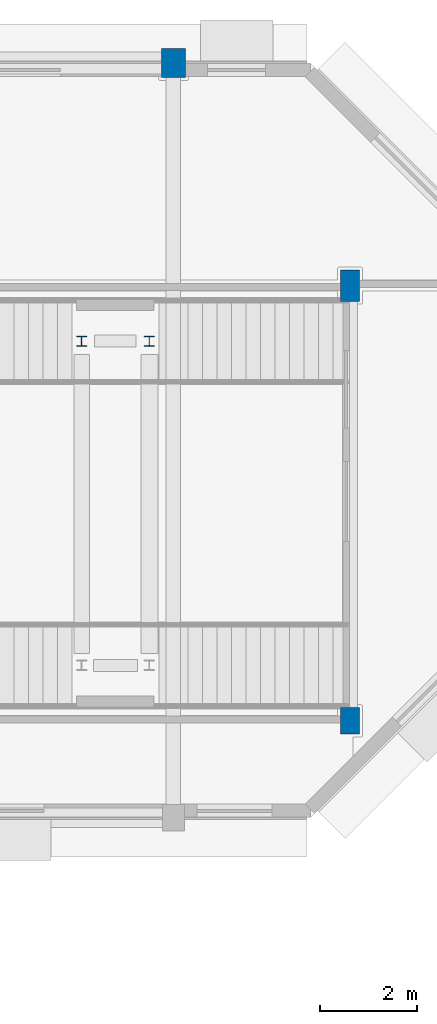
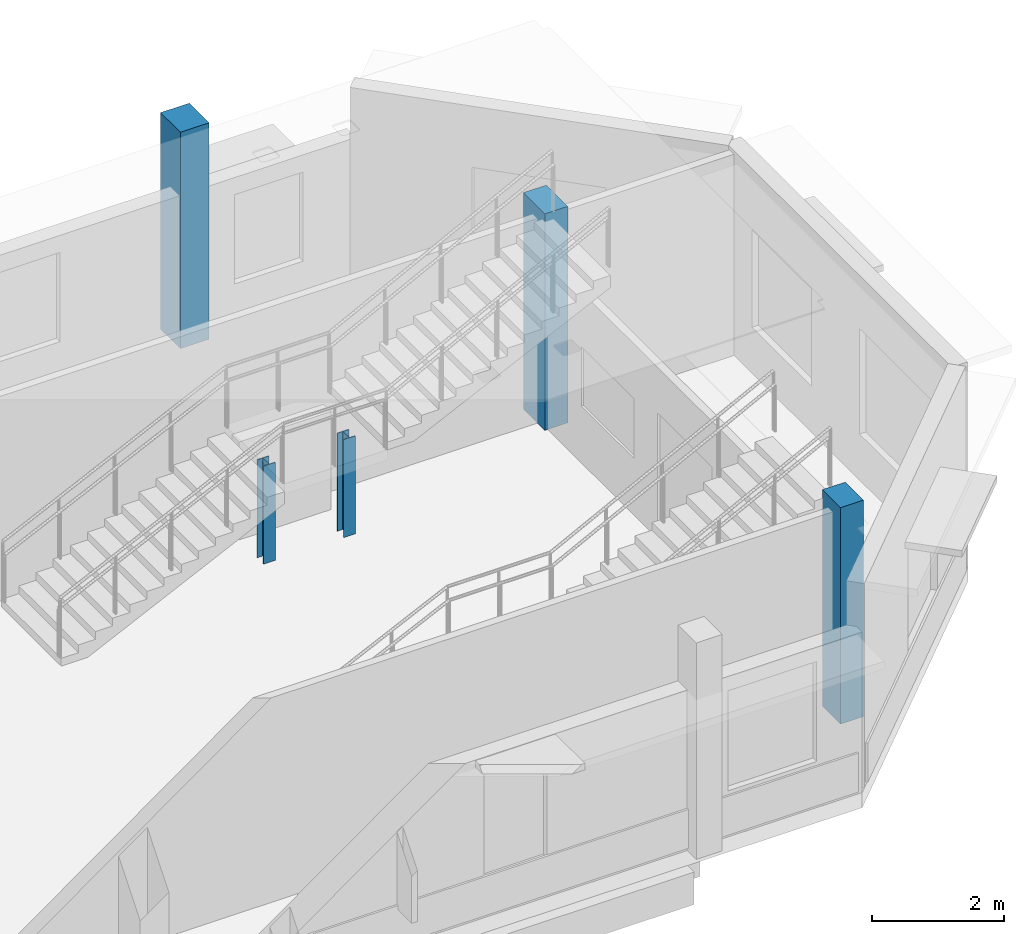
# One storey, part 16 of 92: 5 columns.
"""IFC4 building model written with IfcOpenShell, lengths in metres."""

import ifcopenshell
import ifcopenshell.guid

model = None  # the IFC model being written
_history = None  # IfcOwnerHistory: only IFC2X3 demands one
_inside = {}  # id of a spatial element -> (the spatial element, [elements in it])
_under = {}  # id of a project, library or spatial element -> (it, [spatial elements below it])
_declared = {}  # id of a project -> (the project, [libraries it declares])
_typed = {}  # id of a type object -> (the type object, [elements of that type])
_made_of = {}  # id of a material, layer set ... -> (it, [elements and type objects made of it])


def new_model(schema):
    """Start an empty IFC model of exactly this schema.

    Asked for "IFC4X3", IfcOpenShell would pick the latest addendum, in which some entities
    have other attributes; the version numbers below select the first issue.
    IFC2X3 requires an IfcOwnerHistory on every rooted entity: one is made here for all.
    """
    global model, _history
    if schema == "IFC4X3":
        model = ifcopenshell.file(schema_version=(4, 3, 0, 0))
    else:
        model = ifcopenshell.file(schema=schema)
    _inside.clear()
    _under.clear()
    _declared.clear()
    _typed.clear()
    _made_of.clear()
    _history = None
    if model.schema == "IFC2X3":
        org = make("IfcOrganization", Name="unknown")
        user = make(
            "IfcPersonAndOrganization",
            ThePerson=make("IfcPerson", FamilyName="unknown"),
            TheOrganization=org,
        )
        app = make(
            "IfcApplication",
            ApplicationDeveloper=org,
            Version="unknown",
            ApplicationFullName="unknown",
            ApplicationIdentifier="unknown",
        )
        _history = make(
            "IfcOwnerHistory",
            OwningUser=user,
            OwningApplication=app,
            ChangeAction="ADDED",
            CreationDate=0,
        )
    return model


def make(cls, **values):
    """One entity of the class cls with the attributes given. An attribute that is None is left unset."""
    return model.create_entity(
        cls, **{name: value for name, value in values.items() if value is not None}
    )


def rooted(cls, **values):
    """An entity with a GlobalId (a new one), such as an element, a storey or a relation."""
    return make(cls, GlobalId=ifcopenshell.guid.new(), OwnerHistory=_history, **values)


def si_unit(unit_type, name, prefix=None):
    """IfcSIUnit, for example si_unit("LENGTHUNIT", "METRE", prefix="MILLI")."""
    return make("IfcSIUnit", UnitType=unit_type, Prefix=prefix, Name=name)


def assignment(units):
    """IfcUnitAssignment: the units of a project."""
    return None if units is None else make("IfcUnitAssignment", Units=units)


def point(xyz):
    """IfcCartesianPoint."""
    return None if xyz is None else make("IfcCartesianPoint", Coordinates=xyz)


def direction(xyz):
    """IfcDirection."""
    return None if xyz is None else make("IfcDirection", DirectionRatios=xyz)


def frame(location, z_axis=None, x_axis=None):
    """IfcAxis2Placement3D, a coordinate frame: its origin and axes. An axis left out is left unset."""
    return make(
        "IfcAxis2Placement3D",
        Location=point(location),
        Axis=direction(z_axis),
        RefDirection=direction(x_axis),
    )


def frame_2d(location, x_axis=None):
    """IfcAxis2Placement2D, a coordinate frame in the plane: its origin and x axis."""
    return make(
        "IfcAxis2Placement2D", Location=point(location), RefDirection=direction(x_axis)
    )


def origin():
    """The frame at (0, 0, 0) with its axes left unset."""
    return frame((0.0, 0.0, 0.0))


def origin_2d():
    """The frame at (0, 0) in the plane with its x axis left unset."""
    return frame_2d((0.0, 0.0))


def place(relative_to, where):
    """IfcLocalPlacement: puts the frame where relative to a parent placement (None: the world)."""
    return make(
        "IfcLocalPlacement", PlacementRelTo=relative_to, RelativePlacement=where
    )


def context(
    kind, dimensions, precision=None, world=None, true_north=None, identifier=None
):
    """IfcGeometricRepresentationContext, for example the 3D "Model" context."""
    return make(
        "IfcGeometricRepresentationContext",
        ContextIdentifier=identifier,
        ContextType=kind,
        CoordinateSpaceDimension=dimensions,
        Precision=precision,
        WorldCoordinateSystem=world,
        TrueNorth=true_north,
    )


def subcontext(parent, identifier, kind, view, scale=None):
    """IfcGeometricRepresentationSubContext, for example "Body" below "Model"."""
    return make(
        "IfcGeometricRepresentationSubContext",
        ContextIdentifier=identifier,
        ContextType=kind,
        ParentContext=parent,
        TargetScale=scale,
        TargetView=view,
    )


def project(units=None, contexts=None):
    """IfcProject with its units and contexts."""
    return rooted(
        "IfcProject",
        Name="project",
        RepresentationContexts=contexts,
        UnitsInContext=assignment(units),
    )


def spatial(cls, under=None, at=None, **own):
    """A site, building, storey or space (cls), placed at a placement, below another one or the project."""
    s = rooted(cls, ObjectPlacement=at, **own)
    if under is not None:
        _under.setdefault(under.id(), (under, []))[1].append(s)
    return s


def profile(cls, at=None, kind="AREA", **sizes):
    """A parametric profile (cls). Its sizes go by their IFC names, for example OverallWidth=200.0."""
    return make(cls, ProfileType=kind, Position=at, **sizes)


def rectangle(**sizes):
    """IfcRectangleProfileDef."""
    return profile("IfcRectangleProfileDef", **sizes)


def i_section(**sizes):
    """IfcIShapeProfileDef."""
    return profile("IfcIShapeProfileDef", **sizes)


def extrude(swept, where, along, depth):
    """IfcExtrudedAreaSolid: the profile swept, set in the frame where, extruded along a direction by depth."""
    return make(
        "IfcExtrudedAreaSolid",
        SweptArea=swept,
        Position=where,
        ExtrudedDirection=direction(along),
        Depth=depth,
    )


def shape(context_of_items, identifier, shape_type, items):
    """IfcShapeRepresentation: the items that make up one representation, for example the "Body"."""
    return make(
        "IfcShapeRepresentation",
        ContextOfItems=context_of_items,
        RepresentationIdentifier=identifier,
        RepresentationType=shape_type,
        Items=items,
    )


def material(Name=None, Category=None):
    """IfcMaterial."""
    return make("IfcMaterial", Name=Name, Category=Category)


def material_profile(
    of_material, cross_section, Name=None, Category=None, Priority=None
):
    """IfcMaterialProfile: a cross section and its material."""
    return make(
        "IfcMaterialProfile",
        Name=Name,
        Material=of_material,
        Profile=cross_section,
        Priority=Priority,
        Category=Category,
    )


def profile_set(profiles, Name=None, composite=None):
    """IfcMaterialProfileSet."""
    return make(
        "IfcMaterialProfileSet",
        Name=Name,
        MaterialProfiles=profiles,
        CompositeProfile=composite,
    )


def made_of(thing, what):
    """Note that an element or type object is made of a material, layer set ...; save() writes the relation."""
    if what is not None:
        _made_of.setdefault(what.id(), (what, []))[1].append(thing)
    return thing


def type_object(cls, material=None, **own):
    """A type object (cls), such as IfcWallType, which elements share."""
    return made_of(rooted(cls, **own), material)


def element(
    cls,
    number,
    at=None,
    inside=None,
    cuts=None,
    type_object=None,
    material=None,
    context=None,
    identifier="Body",
    shape_type=None,
    held_by="IfcProductDefinitionShape",
    body=None,
    shapes=None,
    **own,
):
    """One element of the class cls, such as IfcWall. Its Tag is "e" and its number.

    at: its placement. inside: the storey or other place that contains it. cuts: it is an
    opening in that element (IfcRelVoidsElement). A single representation is given by context,
    identifier, shape_type and body (its items); several are given by shapes. held_by: the class
    of the entity that holds the representations. save() writes the other relations.
    """
    e = rooted(cls, Tag="e%d" % number, ObjectPlacement=at, **own)
    if body is not None:
        shapes = [shape(context, identifier, shape_type, body)]
    if shapes is not None:
        e.Representation = make(held_by, Representations=shapes)
    if inside is not None:
        _inside.setdefault(inside.id(), (inside, []))[1].append(e)
    if cuts is not None:
        rooted(
            "IfcRelVoidsElement", RelatingBuildingElement=cuts, RelatedOpeningElement=e
        )
    if type_object is not None:
        _typed.setdefault(type_object.id(), (type_object, []))[1].append(e)
    return made_of(e, material)


def aggregate(whole, parts):
    """IfcRelAggregates: a whole, such as a stair, and the parts it consists of."""
    return rooted("IfcRelAggregates", RelatingObject=whole, RelatedObjects=parts)


def save(model, path):
    """Write the relations noted so far, then the file.

    IfcRelAggregates (storeys below a building ...), IfcRelContainedInSpatialStructure (elements
    in a storey), IfcRelDefinesByType, IfcRelAssociatesMaterial and IfcRelDeclares: one each for
    every whole, place, type object, material and project.
    """
    for whole, parts in _under.values():
        aggregate(whole, parts)
    for where, things in _inside.values():
        rooted(
            "IfcRelContainedInSpatialStructure",
            RelatedElements=things,
            RelatingStructure=where,
        )
    for kind, things in _typed.values():
        rooted("IfcRelDefinesByType", RelatedObjects=things, RelatingType=kind)
    for what, things in _made_of.values():
        rooted("IfcRelAssociatesMaterial", RelatedObjects=things, RelatingMaterial=what)
    for by, libraries in _declared.values():
        rooted("IfcRelDeclares", RelatingContext=by, RelatedDefinitions=libraries)
    model.write(path)


model = new_model("IFC4")

# Units and contexts
model_context = context("Model", 3, precision=1e-05, world=origin(), true_north=direction((0.0, 1.0)))
body_context = subcontext(model_context, "Body", "Model", "MODEL_VIEW")
ifc_project = project(units=[si_unit("LENGTHUNIT", "METRE"), si_unit("AREAUNIT", "SQUARE_METRE"), si_unit("VOLUMEUNIT", "CUBIC_METRE"), si_unit("PLANEANGLEUNIT", "RADIAN"), si_unit("MASSUNIT", "GRAM", prefix="KILO")], contexts=[model_context])

# Site, building, storey
site_placement = place(None, origin())
site = spatial("IfcSite", under=ifc_project, at=site_placement, CompositionType="ELEMENT")
building_placement = place(site_placement, origin())
building = spatial("IfcBuilding", under=site, at=building_placement, Name="Kelanivale Promenade Academy", CompositionType="ELEMENT")
storey_placement = place(building_placement, frame((0.0, 0.0, 8.199951171875)))
storey = spatial("IfcBuildingStorey", under=building, at=storey_placement, Name="L02", CompositionType="ELEMENT", Elevation=8.199951171875)

# Columns
ifc_material_1 = material(Name="Concrete C40/50", Category="concrete")
ifc_material_profile_1 = material_profile(ifc_material_1, rectangle(XDim=0.39990234375, YDim=0.550048828125, at=origin_2d()), Name="RC-COL 400x550")
ifc_profile_set_1 = profile_set([ifc_material_profile_1], Name="Concrete C40/50")
column_type_1 = type_object("IfcColumnType", Name="C-07 RC-COL 400x550", PredefinedType="COLUMN", material=ifc_profile_set_1)
column_1_placement = place(storey_placement, frame((155.25, 98.39990234375, 0.0), z_axis=(0.0, 0.0, 1.0), x_axis=(1.0, 0.0, 0.0)))
element("IfcColumn", 1, at=column_1_placement, inside=storey, type_object=column_type_1, Name="Column C-07 at (155.2, 98.4) L02", PredefinedType="COLUMN", context=body_context, shape_type="SweptSolid", body=[
    extrude(rectangle(XDim=0.39990234375, YDim=0.550048828125, at=origin_2d()), origin(), (0.0, 0.0, 1.0), 4.0),
])
ifc_material_profile_2 = material_profile(ifc_material_1, rectangle(XDim=0.39990234375, YDim=0.64990234375, at=origin_2d()), Name="RC-COL 400x650")
ifc_profile_set_2 = profile_set([ifc_material_profile_2], Name="Concrete C40/50")
column_type_2 = type_object("IfcColumnType", Name="C-08 RC-COL 400x650", PredefinedType="COLUMN", material=ifc_profile_set_2)
column_2_placement = place(storey_placement, frame((155.25, 107.39990234375, 0.0), z_axis=(0.0, 0.0, 1.0), x_axis=(1.0, 0.0, 0.0)))
element("IfcColumn", 2, at=column_2_placement, inside=storey, type_object=column_type_2, Name="Column C-08 at (155.2, 107.4) L02", PredefinedType="COLUMN", context=body_context, shape_type="SweptSolid", body=[
    extrude(rectangle(XDim=0.39990234375, YDim=0.64990234375, at=origin_2d()), origin(), (0.0, 0.0, 1.0), 4.0),
])
ifc_material_profile_3 = material_profile(ifc_material_1, rectangle(XDim=0.5, YDim=0.60009765625, at=origin_2d()), Name="RC-PIL 500x600")
ifc_profile_set_3 = profile_set([ifc_material_profile_3], Name="Concrete C40/50")
column_type_3 = type_object("IfcColumnType", Name="PL-18 RC-PIL 500x600", PredefinedType="PILASTER", material=ifc_profile_set_3)
column_3_placement = place(storey_placement, frame((151.60009765625, 112.0, 0.0), z_axis=(0.0, 0.0, 1.0), x_axis=(1.0, 0.0, 0.0)))
element("IfcColumn", 3, at=column_3_placement, inside=storey, type_object=column_type_3, Name="Column PL-18 at (151.6, 112.0) L02", PredefinedType="PILASTER", context=body_context, shape_type="SweptSolid", body=[
    extrude(rectangle(XDim=0.5, YDim=0.60009765625, at=origin_2d()), origin(), (0.0, 0.0, 1.0), 4.0),
])
ifc_material_2 = material(Name="Steel S355", Category="steel")
ifc_material_profile_4 = material_profile(ifc_material_2, i_section(OverallWidth=0.204345703125, OverallDepth=0.206298828125, WebThickness=0.0078125, FlangeThickness=0.012451171875, FilletRadius=0.01025390625, at=origin_2d()), Name="UC 203x203x52")
ifc_profile_set_4 = profile_set([ifc_material_profile_4], Name="Steel S355")
column_type_4 = type_object("IfcColumnType", Name="SC-01 UC 203x203x52", PredefinedType="COLUMN", material=ifc_profile_set_4)
for number, where, z_axis, x_axis, name in (
    (4, (149.699951171875, 106.25, 0.0), (0.0, 0.0, 1.0), (1.0, 0.0, 0.0), "Library stair ST-08 landing support post"),
    (5, (151.10009765625, 106.25, 0.0), (0.0, 0.0, 1.0), (1.0, 0.0, 0.0), "Library stair ST-08 landing support post"),
):
    element("IfcColumn", number, at=place(storey_placement, frame(where, z_axis=z_axis, x_axis=x_axis)), inside=storey, type_object=column_type_4, Name=name, PredefinedType="COLUMN", context=body_context, shape_type="SweptSolid", body=[
        extrude(i_section(OverallWidth=0.204345703125, OverallDepth=0.206298828125, WebThickness=0.0078125, FlangeThickness=0.012451171875, FilletRadius=0.01025390625, at=origin_2d()), origin(), (0.0, 0.0, 1.0), 1.81005859375),
    ])

save(model, "model.ifc")
